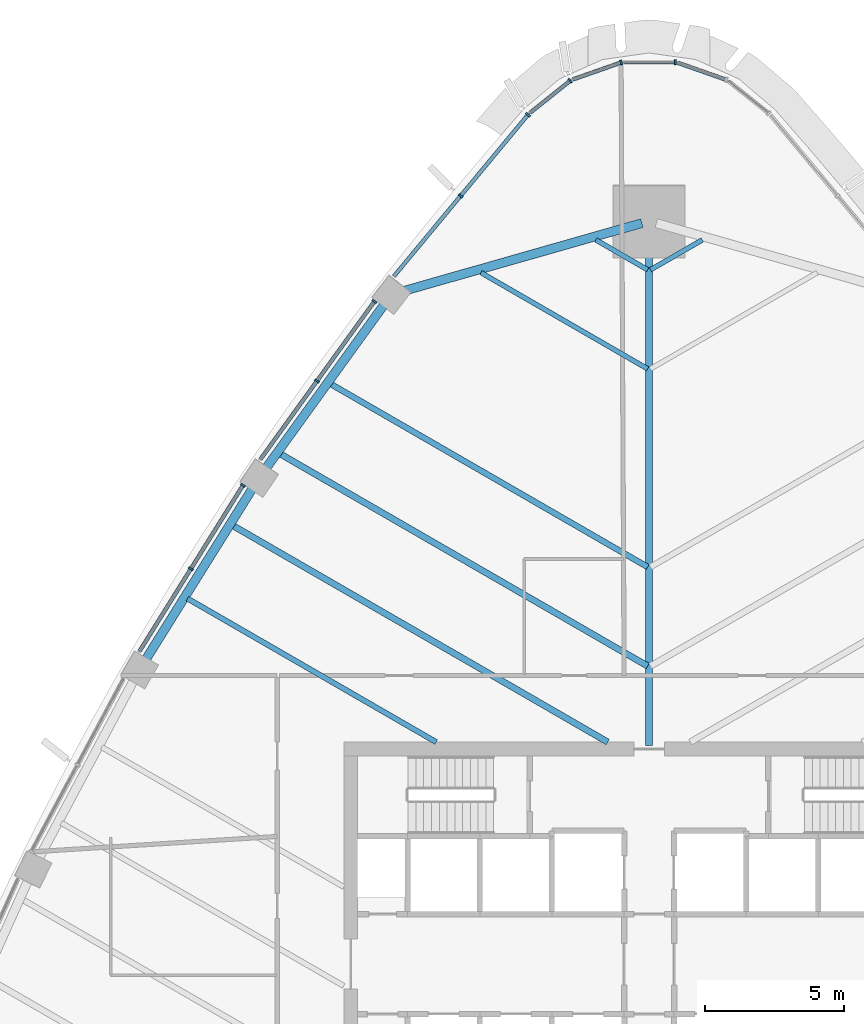
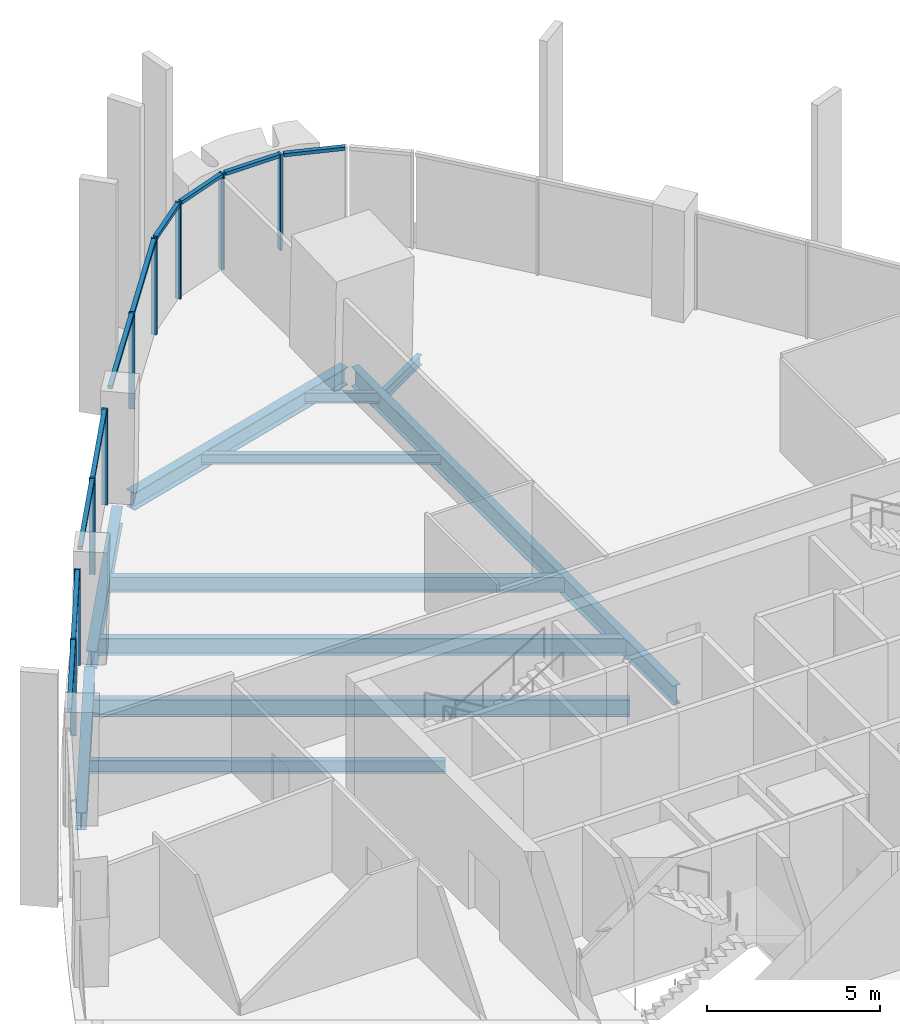
# One storey, part 6 of 19: 19 members, 11 beams, 7 elements without a shape of their own.
"""IFC4 building model written with IfcOpenShell, lengths in metres."""

from ifc_helpers import new_model, si_unit, direction, frame, origin, origin_2d, place, context, subcontext, project, spatial, rectangle, i_section, extrude, material, layer, layer_set, material_profile, profile_set, type_object, element, aggregate, save


model = new_model("IFC4")

# Units and contexts
model_context = context("Model", 3, precision=1e-05, world=origin(), true_north=direction((0.0, 1.0)))
body_context = subcontext(model_context, "Body", "Model", "MODEL_VIEW")
ifc_project = project(units=[si_unit("LENGTHUNIT", "METRE"), si_unit("AREAUNIT", "SQUARE_METRE"), si_unit("VOLUMEUNIT", "CUBIC_METRE"), si_unit("PLANEANGLEUNIT", "RADIAN"), si_unit("MASSUNIT", "GRAM", prefix="KILO")], contexts=[model_context])

# Site, building, storey
site_placement = place(None, origin())
site = spatial("IfcSite", under=ifc_project, at=site_placement, CompositionType="ELEMENT")
building_placement = place(site_placement, origin())
building = spatial("IfcBuilding", under=site, at=building_placement, Name="Sierra Prisma Convention Tower", CompositionType="ELEMENT")
storey_placement = place(building_placement, frame((0.0, 0.0, 193.800048828125)))
storey = spatial("IfcBuildingStorey", under=building, at=storey_placement, Name="L43", CompositionType="ELEMENT", Elevation=193.800048828125)

# Curtain wall, member
ifc_material_1 = material(Name="Aluminium and glass curtain wall", Category="aluminium")
ifc_layer = layer(ifc_material_1, 0.179931640625)
ifc_layer_set = layer_set([ifc_layer], Name="CW-1 Plain shaft curtain wall")
curtain_wall_type = type_object("IfcCurtainWallType", Name="CW-1 Plain shaft curtain wall", PredefinedType="NOTDEFINED", material=ifc_layer_set)
curtain_wall_1_placement = place(storey_placement, origin())
curtain_wall_1 = element("IfcCurtainWall", 1, at=curtain_wall_1_placement, inside=storey, type_object=curtain_wall_type, Name="CW-1 N3 L43", PredefinedType="NOTDEFINED")
ifc_material_2 = material(Name="Aluminium 6063-T6 bronze anodised", Category="aluminium")
ifc_material_profile_1 = material_profile(ifc_material_2, rectangle(XDim=0.179931640625, YDim=0.070068359375, at=origin_2d()), Name="ALU MULLION 70x180")
ifc_profile_set_1 = profile_set([ifc_material_profile_1], Name="Aluminium 6063-T6 bronze anodised")
member_type_1 = type_object("IfcMemberType", Name="CW mullion bronze", PredefinedType="MULLION", material=ifc_profile_set_1)
member_1_placement = place(storey_placement, frame((0.9404296875, 32.49853515625, 0.0), z_axis=(0.0, 0.0, 1.0), x_axis=(0.0, -1.0, 0.0)))
member_1 = element("IfcMember", 2, at=member_1_placement, type_object=member_type_1, Name="CW-1 mullion N3.1", PredefinedType="MULLION", context=body_context, shape_type="SweptSolid", body=[
    extrude(rectangle(XDim=0.179931640625, YDim=0.070068359375, at=origin_2d()), origin(), (0.0, 0.0, 1.0), 3.39990234375),
])

curtain_wall_2_placement = place(storey_placement, origin())
curtain_wall_2 = element("IfcCurtainWall", 3, at=curtain_wall_2_placement, inside=storey, type_object=curtain_wall_type, Name="CW-1 N4 L43", PredefinedType="NOTDEFINED")
member_2_placement = place(storey_placement, frame((-1.008544921875, 32.487060546875, 0.0), z_axis=(0.0, 0.0, 1.0), x_axis=(0.331205324945, -0.943558706561, 0.0)))
member_2 = element("IfcMember", 4, at=member_2_placement, type_object=member_type_1, Name="CW-1 mullion N4.1", PredefinedType="MULLION", context=body_context, shape_type="SweptSolid", body=[
    extrude(rectangle(XDim=0.179931640625, YDim=0.070068359375, at=origin_2d()), origin(), (0.0, 0.0, 1.0), 3.39990234375),
])

curtain_wall_3_placement = place(storey_placement, origin())
curtain_wall_3 = element("IfcCurtainWall", 5, at=curtain_wall_3_placement, inside=storey, type_object=curtain_wall_type, Name="CW-1 N5 L43", PredefinedType="NOTDEFINED")
member_3_placement = place(storey_placement, frame((-2.84375, 31.83056640625, 0.0), z_axis=(0.0, 0.0, 1.0), x_axis=(0.625023336037, -0.780606065445, 0.0)))
member_3 = element("IfcMember", 6, at=member_3_placement, type_object=member_type_1, Name="CW-1 mullion N5.1", PredefinedType="MULLION", context=body_context, shape_type="SweptSolid", body=[
    extrude(rectangle(XDim=0.179931640625, YDim=0.070068359375, at=origin_2d()), origin(), (0.0, 0.0, 1.0), 3.39990234375),
])

# Curtain wall, members
curtain_wall_4_placement = place(storey_placement, origin())
curtain_wall_4 = element("IfcCurtainWall", 7, at=curtain_wall_4_placement, inside=storey, type_object=curtain_wall_type, Name="CW-1 NW1 L43", PredefinedType="NOTDEFINED")
member_4_placement = place(storey_placement, frame((-4.36181640625, 30.60595703125, 0.0), z_axis=(0.0, 0.0, 1.0), x_axis=(0.769351942305, -0.638825162992, 0.0)))
member_4 = element("IfcMember", 8, at=member_4_placement, type_object=member_type_1, Name="CW-1 mullion NW1.1", PredefinedType="MULLION", context=body_context, shape_type="SweptSolid", body=[
    extrude(rectangle(XDim=0.179931640625, YDim=0.070068359375, at=origin_2d()), origin(), (0.0, 0.0, 1.0), 3.39990234375),
])
member_5_placement = place(storey_placement, frame((-6.790771484375, 27.6806640625, 0.0), z_axis=(0.0, 0.0, 1.0), x_axis=(0.769351942305, -0.638825162992, 0.0)))
member_5 = element("IfcMember", 9, at=member_5_placement, type_object=member_type_1, Name="CW-1 mullion NW1.2", PredefinedType="MULLION", context=body_context, shape_type="SweptSolid", body=[
    extrude(rectangle(XDim=0.179931640625, YDim=0.070068359375, at=origin_2d()), origin(), (0.0, 0.0, 1.0), 3.39990234375),
])

curtain_wall_5_placement = place(storey_placement, origin())
curtain_wall_5 = element("IfcCurtainWall", 10, at=curtain_wall_5_placement, inside=storey, type_object=curtain_wall_type, Name="CW-1 NW2 L43", PredefinedType="NOTDEFINED")
member_6_placement = place(storey_placement, frame((-9.900634765625, 23.8740234375, 0.0), z_axis=(0.0, 0.0, 1.0), x_axis=(0.810833407445, -0.585277015926, 0.0)))
member_6 = element("IfcMember", 11, at=member_6_placement, type_object=member_type_1, Name="CW-1 mullion NW2.1", PredefinedType="MULLION", context=body_context, shape_type="SweptSolid", body=[
    extrude(rectangle(XDim=0.179931640625, YDim=0.070068359375, at=origin_2d()), origin(), (0.0, 0.0, 1.0), 3.39990234375),
])
member_7_placement = place(storey_placement, frame((-11.966552734375, 21.011962890625, 0.0), z_axis=(0.0, 0.0, 1.0), x_axis=(0.810833407445, -0.585277015926, 0.0)))
member_7 = element("IfcMember", 12, at=member_7_placement, type_object=member_type_1, Name="CW-1 mullion NW2.2", PredefinedType="MULLION", context=body_context, shape_type="SweptSolid", body=[
    extrude(rectangle(XDim=0.179931640625, YDim=0.070068359375, at=origin_2d()), origin(), (0.0, 0.0, 1.0), 3.39990234375),
])

curtain_wall_6_placement = place(storey_placement, origin())
curtain_wall_6 = element("IfcCurtainWall", 13, at=curtain_wall_6_placement, inside=storey, type_object=curtain_wall_type, Name="CW-1 NW3 L43", PredefinedType="NOTDEFINED")
member_8_placement = place(storey_placement, frame((-14.63525390625, 17.25146484375, 0.0), z_axis=(0.0, 0.0, 1.0), x_axis=(0.848594674851, -0.529043550017, 0.0)))
member_8 = element("IfcMember", 14, at=member_8_placement, type_object=member_type_1, Name="CW-1 mullion NW3.1", PredefinedType="MULLION", context=body_context, shape_type="SweptSolid", body=[
    extrude(rectangle(XDim=0.179931640625, YDim=0.070068359375, at=origin_2d()), origin(), (0.0, 0.0, 1.0), 3.39990234375),
])
member_9_placement = place(storey_placement, frame((-16.51123046875, 14.242431640625, 0.0), z_axis=(0.0, 0.0, 1.0), x_axis=(0.848594674851, -0.529043550017, 0.0)))
member_9 = element("IfcMember", 15, at=member_9_placement, type_object=member_type_1, Name="CW-1 mullion NW3.2", PredefinedType="MULLION", context=body_context, shape_type="SweptSolid", body=[
    extrude(rectangle(XDim=0.179931640625, YDim=0.070068359375, at=origin_2d()), origin(), (0.0, 0.0, 1.0), 3.39990234375),
])

# Curtain wall, member
curtain_wall_7_placement = place(storey_placement, origin())
curtain_wall_7 = element("IfcCurtainWall", 16, at=curtain_wall_7_placement, inside=storey, type_object=curtain_wall_type, Name="CW-1 N2 L43", PredefinedType="NOTDEFINED")
ifc_material_3 = material(Name="Aluminium 6063-T6 bronze anodised", Category="aluminium")
ifc_material_profile_2 = material_profile(ifc_material_3, rectangle(XDim=0.139892578125, YDim=0.1201171875, at=origin_2d()), Name="ALU TRANSOM 120x140")
ifc_profile_set_2 = profile_set([ifc_material_profile_2], Name="Aluminium 6063-T6 bronze anodised")
member_type_2 = type_object("IfcMemberType", Name="CW transom bronze", PredefinedType="USERDEFINED", material=ifc_profile_set_2)
member_10_placement = place(storey_placement, frame((2.75048828125, 31.87548828125, 3.33984375), z_axis=(-0.943563775087, 0.331190885055, 0.0), x_axis=(-0.331190885055, -0.943563775087, 0.0)))
member_10 = element("IfcMember", 17, at=member_10_placement, type_object=member_type_2, Name="CW-1 transom N2.1", ObjectType="TRANSOM", PredefinedType="USERDEFINED", context=body_context, shape_type="SweptSolid", body=[
    extrude(rectangle(XDim=0.139892578125, YDim=0.1201171875, at=origin_2d()), origin(), (0.0, 0.0, 1.0), 1.811279296875),
])
aggregate(curtain_wall_7, [member_10])

# Member
member_11_placement = place(storey_placement, frame((0.905517578125, 32.49853515625, 3.33984375), z_axis=(-1.0, 0.0, 0.0), x_axis=(0.0, -1.0, 0.0)))
member_11 = element("IfcMember", 18, at=member_11_placement, type_object=member_type_2, Name="CW-1 transom N3.1", ObjectType="TRANSOM", PredefinedType="USERDEFINED", context=body_context, shape_type="SweptSolid", body=[
    extrude(rectangle(XDim=0.139892578125, YDim=0.1201171875, at=origin_2d()), origin(), (0.0, 0.0, 1.0), 1.81103515625),
])

aggregate(curtain_wall_1, [member_1, member_11])

member_12_placement = place(storey_placement, frame((-1.04150390625, 32.475341796875, 3.33984375), z_axis=(-0.943563775087, -0.331190885055, 0.0), x_axis=(0.331190885055, -0.943563775087, 0.0)))
member_12 = element("IfcMember", 19, at=member_12_placement, type_object=member_type_2, Name="CW-1 transom N4.1", ObjectType="TRANSOM", PredefinedType="USERDEFINED", context=body_context, shape_type="SweptSolid", body=[
    extrude(rectangle(XDim=0.139892578125, YDim=0.1201171875, at=origin_2d()), origin(), (0.0, 0.0, 1.0), 1.811279296875),
])

aggregate(curtain_wall_2, [member_2, member_12])

member_13_placement = place(storey_placement, frame((-2.87109375, 31.80859375, 3.33984375), z_axis=(-0.78059256964, -0.625040190886, 0.0), x_axis=(0.625040190886, -0.78059256964, 0.0)))
member_13 = element("IfcMember", 20, at=member_13_placement, type_object=member_type_2, Name="CW-1 transom N5.1", ObjectType="TRANSOM", PredefinedType="USERDEFINED", context=body_context, shape_type="SweptSolid", body=[
    extrude(rectangle(XDim=0.139892578125, YDim=0.1201171875, at=origin_2d()), origin(), (0.0, 0.0, 1.0), 1.811279296875),
])

aggregate(curtain_wall_3, [member_3, member_13])

member_14_placement = place(storey_placement, frame((-4.38427734375, 30.5791015625, 3.33984375), z_axis=(-0.638838666919, -0.769340729228, 0.0), x_axis=(0.769340729228, -0.638838666919, 0.0)))
member_14 = element("IfcMember", 21, at=member_14_placement, type_object=member_type_2, Name="CW-1 transom NW1.1", ObjectType="TRANSOM", PredefinedType="USERDEFINED", context=body_context, shape_type="SweptSolid", body=[
    extrude(rectangle(XDim=0.139892578125, YDim=0.1201171875, at=origin_2d()), origin(), (0.0, 0.0, 1.0), 3.732177734375),
])

member_15_placement = place(storey_placement, frame((-6.813232421875, 27.65380859375, 3.33984375), z_axis=(-0.638799946581, -0.76937287985, 0.0), x_axis=(0.76937287985, -0.638799946581, 0.0)))
member_15 = element("IfcMember", 22, at=member_15_placement, type_object=member_type_2, Name="CW-1 transom NW1.2", ObjectType="TRANSOM", PredefinedType="USERDEFINED", context=body_context, shape_type="SweptSolid", body=[
    extrude(rectangle(XDim=0.139892578125, YDim=0.1201171875, at=origin_2d()), origin(), (0.0, 0.0, 1.0), 3.73193359375),
])

aggregate(curtain_wall_4, [member_4, member_5, member_14, member_15])

member_16_placement = place(storey_placement, frame((-9.921142578125, 23.845703125, 3.33984375), z_axis=(-0.585256080092, -0.81084851897, 0.0), x_axis=(0.81084851897, -0.585256080092, 0.0)))
member_16 = element("IfcMember", 23, at=member_16_placement, type_object=member_type_2, Name="CW-1 transom NW2.1", ObjectType="TRANSOM", PredefinedType="USERDEFINED", context=body_context, shape_type="SweptSolid", body=[
    extrude(rectangle(XDim=0.139892578125, YDim=0.1201171875, at=origin_2d()), origin(), (0.0, 0.0, 1.0), 3.4599609375),
])

member_17_placement = place(storey_placement, frame((-11.987060546875, 20.983642578125, 3.33984375), z_axis=(-0.585302471169, -0.810815032695, 0.0), x_axis=(0.810815032695, -0.585302471169, 0.0)))
member_17 = element("IfcMember", 24, at=member_17_placement, type_object=member_type_2, Name="CW-1 transom NW2.2", ObjectType="TRANSOM", PredefinedType="USERDEFINED", context=body_context, shape_type="SweptSolid", body=[
    extrude(rectangle(XDim=0.139892578125, YDim=0.1201171875, at=origin_2d()), origin(), (0.0, 0.0, 1.0), 3.4599609375),
])

aggregate(curtain_wall_5, [member_6, member_7, member_16, member_17])

member_18_placement = place(storey_placement, frame((-14.65380859375, 17.2216796875, 3.33984375), z_axis=(-0.529026319887, -0.848605416473, 0.0), x_axis=(0.848605416473, -0.529026319887, 0.0)))
member_18 = element("IfcMember", 25, at=member_18_placement, type_object=member_type_2, Name="CW-1 transom NW3.1", ObjectType="TRANSOM", PredefinedType="USERDEFINED", context=body_context, shape_type="SweptSolid", body=[
    extrude(rectangle(XDim=0.139892578125, YDim=0.1201171875, at=origin_2d()), origin(), (0.0, 0.0, 1.0), 3.475830078125),
])

member_19_placement = place(storey_placement, frame((-16.52978515625, 14.212646484375, 3.33984375), z_axis=(-0.529026319887, -0.848605416473, 0.0), x_axis=(0.848605416473, -0.529026319887, 0.0)))
member_19 = element("IfcMember", 26, at=member_19_placement, type_object=member_type_2, Name="CW-1 transom NW3.2", ObjectType="TRANSOM", PredefinedType="USERDEFINED", context=body_context, shape_type="SweptSolid", body=[
    extrude(rectangle(XDim=0.139892578125, YDim=0.1201171875, at=origin_2d()), origin(), (0.0, 0.0, 1.0), 3.475830078125),
])

aggregate(curtain_wall_6, [member_8, member_9, member_18, member_19])

# Beams
ifc_material_4 = material(Name="Steel ASTM A992 Gr 50", Category="steel")
ifc_material_profile_3 = material_profile(ifc_material_4, i_section(OverallWidth=0.172119140625, OverallDepth=0.35791015625, WebThickness=0.0078125, FlangeThickness=0.01318359375, at=origin_2d()), Name="W360x57")
ifc_profile_set_3 = profile_set([ifc_material_profile_3], Name="Steel ASTM A992 Gr 50")
beam_type_1 = type_object("IfcBeamType", Name="Floor joist W360x57", PredefinedType="JOIST", material=ifc_profile_set_3)
for number, where, z_axis, x_axis, name in (
    (27, (1.917724609375, 26.09619140625, -0.3291015625), (-0.866025281604, -0.500000211623, 0.0), (0.500000211623, -0.866025281604, 0.0), "Floor joist L43 NE15"),
    (28, (-1.917724609375, 26.09619140625, -0.3291015625), (0.866025281604, -0.500000211623, 0.0), (0.500000211623, 0.866025281604, 0.0), "Floor joist L43 NW01"),
):
    element("IfcBeam", number, at=place(storey_placement, frame(where, z_axis=z_axis, x_axis=x_axis)), inside=storey, type_object=beam_type_1, Name=name, PredefinedType="JOIST", context=body_context, shape_type="SweptSolid", body=[
        extrude(i_section(OverallWidth=0.172119140625, OverallDepth=0.35791015625, WebThickness=0.0078125, FlangeThickness=0.01318359375, at=origin_2d()), origin(), (0.0, 0.0, 1.0), 2.15576171875),
    ])
beam_1_placement = place(storey_placement, frame((-6.058349609375, 24.9169921875, -0.3291015625), z_axis=(0.86602324089, -0.500003746224, 0.0), x_axis=(0.500003746224, 0.86602324089, 0.0)))
element("IfcBeam", 29, at=beam_1_placement, inside=storey, type_object=beam_type_1, Name="Floor joist L43 NW02", PredefinedType="JOIST", context=body_context, shape_type="SweptSolid", body=[
    extrude(i_section(OverallWidth=0.172119140625, OverallDepth=0.35791015625, WebThickness=0.0078125, FlangeThickness=0.01318359375, at=origin_2d()), origin(), (0.0, 0.0, 1.0), 6.93701171875),
])
ifc_material_5 = material(Name="Steel ASTM A992 Gr 50", Category="steel")
ifc_material_profile_4 = material_profile(ifc_material_5, i_section(OverallWidth=0.18994140625, OverallDepth=0.45703125, WebThickness=0.009033203125, FlangeThickness=0.014404296875, at=origin_2d()), Name="W460x74")
ifc_profile_set_4 = profile_set([ifc_material_profile_4], Name="Steel ASTM A992 Gr 50")
beam_type_2 = type_object("IfcBeamType", Name="Floor joist W460x74", PredefinedType="JOIST", material=ifc_profile_set_4)
beam_2_placement = place(storey_placement, frame((-16.633056640625, 13.173095703125, -0.378662109375), z_axis=(0.866016999519, -0.500014556332, 0.0), x_axis=(0.500014556332, 0.866016999519, 0.0)))
element("IfcBeam", 30, at=beam_2_placement, inside=storey, type_object=beam_type_2, Name="Floor joist L43 NW07", PredefinedType="JOIST", context=body_context, shape_type="SweptSolid", body=[
    extrude(i_section(OverallWidth=0.18994140625, OverallDepth=0.45703125, WebThickness=0.009033203125, FlangeThickness=0.014404296875, at=origin_2d()), origin(), (0.0, 0.0, 1.0), 10.345947265625),
])
ifc_material_6 = material(Name="Steel ASTM A992 Gr 50", Category="steel")
ifc_material_profile_5 = material_profile(ifc_material_6, i_section(OverallWidth=0.208984375, OverallDepth=0.532958984375, WebThickness=0.01025390625, FlangeThickness=0.015625, at=origin_2d()), Name="W530x92")
ifc_profile_set_5 = profile_set([ifc_material_profile_5], Name="Steel ASTM A992 Gr 50")
beam_type_3 = type_object("IfcBeamType", Name="Floor joist W530x92", PredefinedType="JOIST", material=ifc_profile_set_5)
beam_3_placement = place(storey_placement, frame((-11.47412109375, 20.904052734375, -0.41650390625), z_axis=(0.86602715973, -0.499996958601, 0.0), x_axis=(0.499996958601, 0.86602715973, 0.0)))
element("IfcBeam", 31, at=beam_3_placement, inside=storey, type_object=beam_type_3, Name="Floor joist L43 NW04", PredefinedType="JOIST", context=body_context, shape_type="SweptSolid", body=[
    extrude(i_section(OverallWidth=0.208984375, OverallDepth=0.532958984375, WebThickness=0.01025390625, FlangeThickness=0.015625, at=origin_2d()), origin(), (0.0, 0.0, 1.0), 13.1904296875),
])
ifc_material_7 = material(Name="Steel ASTM A992 Gr 50", Category="steel")
ifc_material_profile_6 = material_profile(ifc_material_7, i_section(OverallWidth=0.22802734375, OverallDepth=0.60302734375, WebThickness=0.010498046875, FlangeThickness=0.014892578125, at=origin_2d()), Name="W610x101")
ifc_profile_set_6 = profile_set([ifc_material_profile_6], Name="Steel ASTM A992 Gr 50")
beam_type_4 = type_object("IfcBeamType", Name="Floor joist W610x101", PredefinedType="JOIST", material=ifc_profile_set_6)
beam_4_placement = place(storey_placement, frame((-13.292724609375, 18.38427734375, -0.45166015625), z_axis=(0.866024721046, -0.500001182536, 0.0), x_axis=(0.500001182536, 0.866024721046, 0.0)))
element("IfcBeam", 32, at=beam_4_placement, inside=storey, type_object=beam_type_4, Name="Floor joist L43 NW05", PredefinedType="JOIST", context=body_context, shape_type="SweptSolid", body=[
    extrude(i_section(OverallWidth=0.22802734375, OverallDepth=0.60302734375, WebThickness=0.010498046875, FlangeThickness=0.014892578125, at=origin_2d()), origin(), (0.0, 0.0, 1.0), 15.29052734375),
])
beam_5_placement = place(storey_placement, frame((-14.99658203125, 15.798095703125, -0.45166015625), z_axis=(0.86602370202, -0.50000294753, 0.0), x_axis=(0.50000294753, 0.86602370202, 0.0)))
element("IfcBeam", 33, at=beam_5_placement, inside=storey, type_object=beam_type_4, Name="Floor joist L43 NW06", PredefinedType="JOIST", context=body_context, shape_type="SweptSolid", body=[
    extrude(i_section(OverallWidth=0.22802734375, OverallDepth=0.60302734375, WebThickness=0.010498046875, FlangeThickness=0.014892578125, at=origin_2d()), origin(), (0.0, 0.0, 1.0), 15.59619140625),
])
ifc_material_8 = material(Name="Steel ASTM A992 Gr 50", Category="steel")
ifc_material_profile_7 = material_profile(ifc_material_8, i_section(OverallWidth=0.25390625, OverallDepth=0.68408203125, WebThickness=0.012451171875, FlangeThickness=0.018798828125, at=origin_2d()), Name="W690x140")
ifc_profile_set_7 = profile_set([ifc_material_profile_7], Name="Steel ASTM A992 Gr 50")
beam_type_5 = type_object("IfcBeamType", Name="Radial girder W690x140", PredefinedType="BEAM", material=ifc_profile_set_7)
beam_6_placement = place(storey_placement, frame((0.0, 26.513916015625, -0.491943359375), z_axis=(0.0, -1.0, 0.0), x_axis=(1.0, 0.0, 0.0)))
element("IfcBeam", 34, at=beam_6_placement, inside=storey, type_object=beam_type_5, Name="Radial girder L43 N", PredefinedType="BEAM", context=body_context, shape_type="SweptSolid", body=[
    extrude(i_section(OverallWidth=0.25390625, OverallDepth=0.68408203125, WebThickness=0.012451171875, FlangeThickness=0.018798828125, at=origin_2d()), origin(), (0.0, 0.0, 1.0), 18.634033203125),
])
ifc_material_9 = material(Name="Steel ASTM A992 Gr 50", Category="steel")
ifc_material_profile_8 = material_profile(ifc_material_9, i_section(OverallWidth=0.324951171875, OverallDepth=0.615966796875, WebThickness=0.013916015625, FlangeThickness=0.021484375, at=origin_2d()), Name="W610x174")
ifc_profile_set_8 = profile_set([ifc_material_profile_8], Name="Steel ASTM A992 Gr 50")
beam_type_6 = type_object("IfcBeamType", Name="Spandrel beam W610x174", PredefinedType="BEAM", material=ifc_profile_set_8)
beam_7_placement = place(storey_placement, frame((-0.260009765625, 26.699951171875, -0.4580078125), z_axis=(-0.961755923424, -0.273907911092, 0.0), x_axis=(0.273907911092, -0.961755923424, 0.0)))
element("IfcBeam", 35, at=beam_7_placement, inside=storey, type_object=beam_type_6, Name="Spandrel L43-13", PredefinedType="BEAM", context=body_context, shape_type="SweptSolid", body=[
    extrude(i_section(OverallWidth=0.324951171875, OverallDepth=0.615966796875, WebThickness=0.013916015625, FlangeThickness=0.021484375, at=origin_2d()), origin(), (0.0, 0.0, 1.0), 8.8828125),
])
beam_8_placement = place(storey_placement, frame((-9.50732421875, 23.8212890625, -0.4580078125), z_axis=(-0.585268593245, -0.810839487051, 0.0), x_axis=(0.810839487051, -0.585268593245, 0.0)))
element("IfcBeam", 36, at=beam_8_placement, inside=storey, type_object=beam_type_6, Name="Spandrel L43-14", PredefinedType="BEAM", context=body_context, shape_type="SweptSolid", body=[
    extrude(i_section(OverallWidth=0.324951171875, OverallDepth=0.615966796875, WebThickness=0.013916015625, FlangeThickness=0.021484375, at=origin_2d()), origin(), (0.0, 0.0, 1.0), 7.39013671875),
])
beam_9_placement = place(storey_placement, frame((-14.25634765625, 17.197998046875, -0.4580078125), z_axis=(-0.529054273291, -0.848587989494, 0.0), x_axis=(0.848587989494, -0.529054273291, 0.0)))
element("IfcBeam", 37, at=beam_9_placement, inside=storey, type_object=beam_type_6, Name="Spandrel L43-15", PredefinedType="BEAM", context=body_context, shape_type="SweptSolid", body=[
    extrude(i_section(OverallWidth=0.324951171875, OverallDepth=0.615966796875, WebThickness=0.013916015625, FlangeThickness=0.021484375, at=origin_2d()), origin(), (0.0, 0.0, 1.0), 7.389892578125),
])

save(model, "model.ifc")
